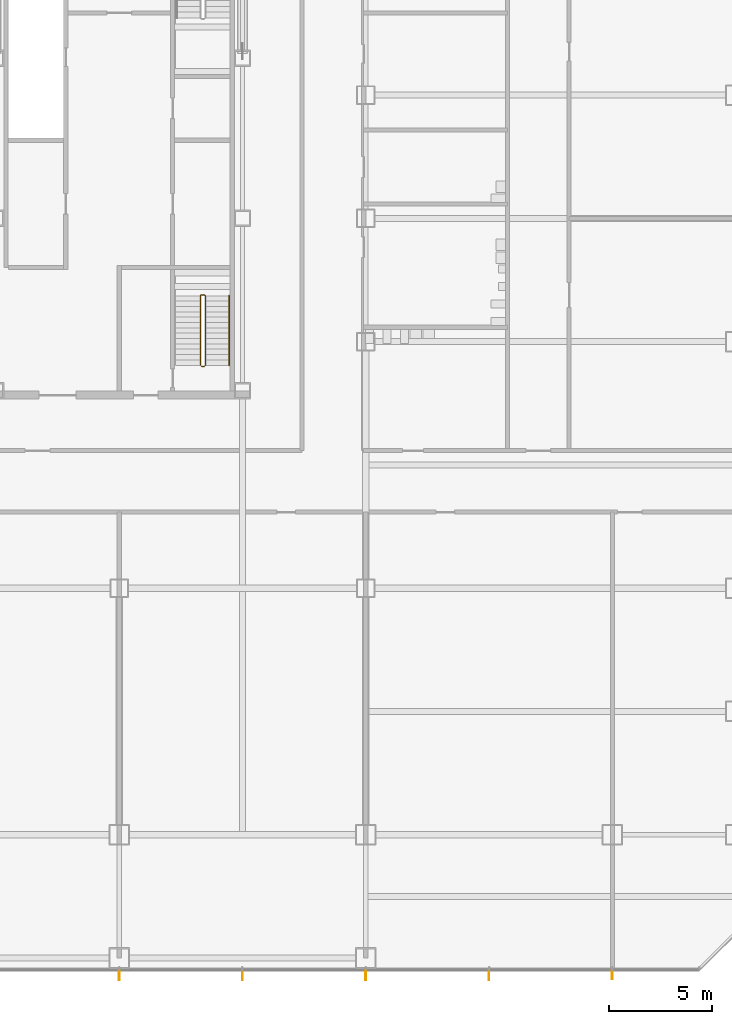
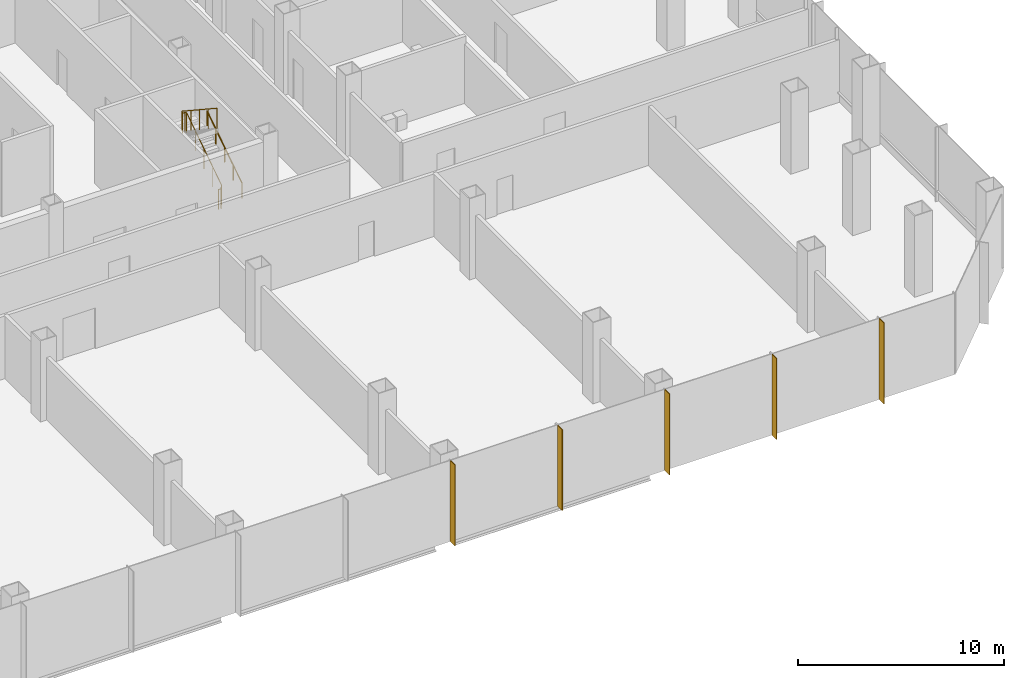
# One storey, part 28 of 33: 5 shading devices, 2 railings.
"""IFC4 building model written with IfcOpenShell, lengths in metres."""

import ifcopenshell
import ifcopenshell.guid

model = None  # the IFC model being written
_history = None  # IfcOwnerHistory: only IFC2X3 demands one
_inside = {}  # id of a spatial element -> (the spatial element, [elements in it])
_under = {}  # id of a project, library or spatial element -> (it, [spatial elements below it])
_declared = {}  # id of a project -> (the project, [libraries it declares])
_typed = {}  # id of a type object -> (the type object, [elements of that type])
_made_of = {}  # id of a material, layer set ... -> (it, [elements and type objects made of it])


def new_model(schema):
    """Start an empty IFC model of exactly this schema.

    Asked for "IFC4X3", IfcOpenShell would pick the latest addendum, in which some entities
    have other attributes; the version numbers below select the first issue.
    IFC2X3 requires an IfcOwnerHistory on every rooted entity: one is made here for all.
    """
    global model, _history
    if schema == "IFC4X3":
        model = ifcopenshell.file(schema_version=(4, 3, 0, 0))
    else:
        model = ifcopenshell.file(schema=schema)
    _inside.clear()
    _under.clear()
    _declared.clear()
    _typed.clear()
    _made_of.clear()
    _history = None
    if model.schema == "IFC2X3":
        org = make("IfcOrganization", Name="unknown")
        user = make(
            "IfcPersonAndOrganization",
            ThePerson=make("IfcPerson", FamilyName="unknown"),
            TheOrganization=org,
        )
        app = make(
            "IfcApplication",
            ApplicationDeveloper=org,
            Version="unknown",
            ApplicationFullName="unknown",
            ApplicationIdentifier="unknown",
        )
        _history = make(
            "IfcOwnerHistory",
            OwningUser=user,
            OwningApplication=app,
            ChangeAction="ADDED",
            CreationDate=0,
        )
    return model


def make(cls, **values):
    """One entity of the class cls with the attributes given. An attribute that is None is left unset."""
    return model.create_entity(
        cls, **{name: value for name, value in values.items() if value is not None}
    )


def rooted(cls, **values):
    """An entity with a GlobalId (a new one), such as an element, a storey or a relation."""
    return make(cls, GlobalId=ifcopenshell.guid.new(), OwnerHistory=_history, **values)


def si_unit(unit_type, name, prefix=None):
    """IfcSIUnit, for example si_unit("LENGTHUNIT", "METRE", prefix="MILLI")."""
    return make("IfcSIUnit", UnitType=unit_type, Prefix=prefix, Name=name)


def assignment(units):
    """IfcUnitAssignment: the units of a project."""
    return None if units is None else make("IfcUnitAssignment", Units=units)


def point(xyz):
    """IfcCartesianPoint."""
    return None if xyz is None else make("IfcCartesianPoint", Coordinates=xyz)


def direction(xyz):
    """IfcDirection."""
    return None if xyz is None else make("IfcDirection", DirectionRatios=xyz)


def frame(location, z_axis=None, x_axis=None):
    """IfcAxis2Placement3D, a coordinate frame: its origin and axes. An axis left out is left unset."""
    return make(
        "IfcAxis2Placement3D",
        Location=point(location),
        Axis=direction(z_axis),
        RefDirection=direction(x_axis),
    )


def frame_2d(location, x_axis=None):
    """IfcAxis2Placement2D, a coordinate frame in the plane: its origin and x axis."""
    return make(
        "IfcAxis2Placement2D", Location=point(location), RefDirection=direction(x_axis)
    )


def origin():
    """The frame at (0, 0, 0) with its axes left unset."""
    return frame((0.0, 0.0, 0.0))


def origin_2d():
    """The frame at (0, 0) in the plane with its x axis left unset."""
    return frame_2d((0.0, 0.0))


def place(relative_to, where):
    """IfcLocalPlacement: puts the frame where relative to a parent placement (None: the world)."""
    return make(
        "IfcLocalPlacement", PlacementRelTo=relative_to, RelativePlacement=where
    )


def context(
    kind, dimensions, precision=None, world=None, true_north=None, identifier=None
):
    """IfcGeometricRepresentationContext, for example the 3D "Model" context."""
    return make(
        "IfcGeometricRepresentationContext",
        ContextIdentifier=identifier,
        ContextType=kind,
        CoordinateSpaceDimension=dimensions,
        Precision=precision,
        WorldCoordinateSystem=world,
        TrueNorth=true_north,
    )


def subcontext(parent, identifier, kind, view, scale=None):
    """IfcGeometricRepresentationSubContext, for example "Body" below "Model"."""
    return make(
        "IfcGeometricRepresentationSubContext",
        ContextIdentifier=identifier,
        ContextType=kind,
        ParentContext=parent,
        TargetScale=scale,
        TargetView=view,
    )


def project(units=None, contexts=None):
    """IfcProject with its units and contexts."""
    return rooted(
        "IfcProject",
        Name="project",
        RepresentationContexts=contexts,
        UnitsInContext=assignment(units),
    )


def spatial(cls, under=None, at=None, **own):
    """A site, building, storey or space (cls), placed at a placement, below another one or the project."""
    s = rooted(cls, ObjectPlacement=at, **own)
    if under is not None:
        _under.setdefault(under.id(), (under, []))[1].append(s)
    return s


def profile(cls, at=None, kind="AREA", **sizes):
    """A parametric profile (cls). Its sizes go by their IFC names, for example OverallWidth=200.0."""
    return make(cls, ProfileType=kind, Position=at, **sizes)


def rectangle(**sizes):
    """IfcRectangleProfileDef."""
    return profile("IfcRectangleProfileDef", **sizes)


def circle(**sizes):
    """IfcCircleProfileDef."""
    return profile("IfcCircleProfileDef", **sizes)


def extrude(swept, where, along, depth):
    """IfcExtrudedAreaSolid: the profile swept, set in the frame where, extruded along a direction by depth."""
    return make(
        "IfcExtrudedAreaSolid",
        SweptArea=swept,
        Position=where,
        ExtrudedDirection=direction(along),
        Depth=depth,
    )


def shape(context_of_items, identifier, shape_type, items):
    """IfcShapeRepresentation: the items that make up one representation, for example the "Body"."""
    return make(
        "IfcShapeRepresentation",
        ContextOfItems=context_of_items,
        RepresentationIdentifier=identifier,
        RepresentationType=shape_type,
        Items=items,
    )


def material(Name=None, Category=None):
    """IfcMaterial."""
    return make("IfcMaterial", Name=Name, Category=Category)


def material_profile(
    of_material, cross_section, Name=None, Category=None, Priority=None
):
    """IfcMaterialProfile: a cross section and its material."""
    return make(
        "IfcMaterialProfile",
        Name=Name,
        Material=of_material,
        Profile=cross_section,
        Priority=Priority,
        Category=Category,
    )


def profile_set(profiles, Name=None, composite=None):
    """IfcMaterialProfileSet."""
    return make(
        "IfcMaterialProfileSet",
        Name=Name,
        MaterialProfiles=profiles,
        CompositeProfile=composite,
    )


def made_of(thing, what):
    """Note that an element or type object is made of a material, layer set ...; save() writes the relation."""
    if what is not None:
        _made_of.setdefault(what.id(), (what, []))[1].append(thing)
    return thing


def type_object(cls, material=None, **own):
    """A type object (cls), such as IfcWallType, which elements share."""
    return made_of(rooted(cls, **own), material)


def element(
    cls,
    number,
    at=None,
    inside=None,
    cuts=None,
    type_object=None,
    material=None,
    context=None,
    identifier="Body",
    shape_type=None,
    held_by="IfcProductDefinitionShape",
    body=None,
    shapes=None,
    **own,
):
    """One element of the class cls, such as IfcWall. Its Tag is "e" and its number.

    at: its placement. inside: the storey or other place that contains it. cuts: it is an
    opening in that element (IfcRelVoidsElement). A single representation is given by context,
    identifier, shape_type and body (its items); several are given by shapes. held_by: the class
    of the entity that holds the representations. save() writes the other relations.
    """
    e = rooted(cls, Tag="e%d" % number, ObjectPlacement=at, **own)
    if body is not None:
        shapes = [shape(context, identifier, shape_type, body)]
    if shapes is not None:
        e.Representation = make(held_by, Representations=shapes)
    if inside is not None:
        _inside.setdefault(inside.id(), (inside, []))[1].append(e)
    if cuts is not None:
        rooted(
            "IfcRelVoidsElement", RelatingBuildingElement=cuts, RelatedOpeningElement=e
        )
    if type_object is not None:
        _typed.setdefault(type_object.id(), (type_object, []))[1].append(e)
    return made_of(e, material)


def aggregate(whole, parts):
    """IfcRelAggregates: a whole, such as a stair, and the parts it consists of."""
    return rooted("IfcRelAggregates", RelatingObject=whole, RelatedObjects=parts)


def save(model, path):
    """Write the relations noted so far, then the file.

    IfcRelAggregates (storeys below a building ...), IfcRelContainedInSpatialStructure (elements
    in a storey), IfcRelDefinesByType, IfcRelAssociatesMaterial and IfcRelDeclares: one each for
    every whole, place, type object, material and project.
    """
    for whole, parts in _under.values():
        aggregate(whole, parts)
    for where, things in _inside.values():
        rooted(
            "IfcRelContainedInSpatialStructure",
            RelatedElements=things,
            RelatingStructure=where,
        )
    for kind, things in _typed.values():
        rooted("IfcRelDefinesByType", RelatedObjects=things, RelatingType=kind)
    for what, things in _made_of.values():
        rooted("IfcRelAssociatesMaterial", RelatedObjects=things, RelatingMaterial=what)
    for by, libraries in _declared.values():
        rooted("IfcRelDeclares", RelatingContext=by, RelatedDefinitions=libraries)
    model.write(path)


model = new_model("IFC4")

# Units and contexts
model_context = context("Model", 3, precision=1e-05, world=origin(), true_north=direction((0.0, 1.0)))
body_context = subcontext(model_context, "Body", "Model", "MODEL_VIEW")
ifc_project = project(units=[si_unit("LENGTHUNIT", "METRE"), si_unit("AREAUNIT", "SQUARE_METRE"), si_unit("VOLUMEUNIT", "CUBIC_METRE"), si_unit("PLANEANGLEUNIT", "RADIAN"), si_unit("MASSUNIT", "GRAM", prefix="KILO")], contexts=[model_context])

# Site, building, storey
site_placement = place(None, origin())
site = spatial("IfcSite", under=ifc_project, at=site_placement, CompositionType="ELEMENT")
building_placement = place(site_placement, origin())
building = spatial("IfcBuilding", under=site, at=building_placement, Name="Sorahane Residences", CompositionType="ELEMENT")
storey_placement = place(building_placement, frame((0.0, 0.0, 34.800048828125)))
storey = spatial("IfcBuildingStorey", under=building, at=storey_placement, Name="L05", CompositionType="ELEMENT", Elevation=34.800048828125)

# Shading devices
ifc_material_1 = material(Name="Terracotta anodised aluminium", Category="masonry")
ifc_material_profile = material_profile(ifc_material_1, rectangle(XDim=0.449951171875, YDim=0.0400390625, at=origin_2d()), Name="Podium vertical fin terracotta anodised aluminium 450x40")
ifc_profile_set = profile_set([ifc_material_profile], Name="Terracotta anodised aluminium")
shading_device_type = type_object("IfcShadingDeviceType", Name="Podium vertical fin terracotta anodised aluminium 450x40", PredefinedType="USERDEFINED", material=ifc_profile_set)
for number, where, z_axis, x_axis, name in (
    (1, (36.0, -6.844970703125, -0.400146484375), (0.0, 0.0, 1.0), (0.0, -1.0, 0.0), "Podium vertical fin L05 S1.5"),
    (2, (42.0, -6.844970703125, -0.400146484375), (0.0, 0.0, 1.0), (0.0, -1.0, 0.0), "Podium vertical fin L05 S1.6"),
    (3, (48.0, -6.844970703125, -0.400146484375), (0.0, 0.0, 1.0), (0.0, -1.0, 0.0), "Podium vertical fin L05 S1.7"),
    (4, (54.0, -6.844970703125, -0.400146484375), (0.0, 0.0, 1.0), (0.0, -1.0, 0.0), "Podium vertical fin L05 S1.8"),
    (5, (60.0, -6.844970703125, -0.400146484375), (0.0, 0.0, 1.0), (0.0, -1.0, 0.0), "Podium vertical fin L05 S1.9"),
):
    element("IfcShadingDevice", number, at=place(storey_placement, frame(where, z_axis=z_axis, x_axis=x_axis)), inside=storey, type_object=shading_device_type, Name=name, ObjectType="Vertical fin", PredefinedType="USERDEFINED", context=body_context, shape_type="SweptSolid", body=[
        extrude(rectangle(XDim=0.449951171875, YDim=0.0400390625, at=origin_2d()), origin(), (0.0, 0.0, 1.0), 4.800048828125),
    ])

# Railings
ifc_material_2 = material(Name="Steel Q355B", Category="steel")
railing_type_1 = type_object("IfcRailingType", Name="Stair guard 1200 Steel Q355B", PredefinedType="GUARDRAIL", material=ifc_material_2)
railing_1_placement = place(storey_placement, frame((40.0, 22.800048828125, 0.0)))
element("IfcRailing", 6, at=railing_1_placement, inside=storey, type_object=railing_type_1, Name="L05 S5 stair guard 1", PredefinedType="GUARDRAIL", context=body_context, shape_type="SweptSolid", body=[
    extrude(circle(Radius=0.02392578125, at=origin_2d()), frame((0.0, 0.0, 1.17578125), z_axis=(1.0, 0.0, 0.0), x_axis=(0.0, 1.0, 0.0)), (0.0, 0.0, 1.0), 0.14990234375),
    extrude(circle(Radius=0.02392578125, at=origin_2d()), frame((0.14990234375, 0.0, 1.17578125), z_axis=(0.269911200495, 0.269911200495, 0.924281281696), x_axis=(-0.707106781187, 0.707106781187, 0.0)), (0.0, 0.0, 1.0), 0.185546875),
    extrude(circle(Radius=0.02392578125, at=origin_2d()), frame((0.199951171875, 0.050048828125, 1.34716796875), z_axis=(0.0, 0.83485994896, 0.550462410727), x_axis=(-1.0, 0.0, 0.0)), (0.0, 0.0, 1.0), 4.04833984375),
    extrude(circle(Radius=0.02392578125, at=origin_2d()), frame((0.199951171875, 3.429931640625, 3.57568359375), z_axis=(-0.707106781187, 0.707106781187, 0.0), x_axis=(-0.707106781187, -0.707106781187, 0.0)), (0.0, 0.0, 1.0), 0.07080078125),
    extrude(circle(Radius=0.02392578125, at=origin_2d()), frame((0.14990234375, 3.47998046875, 3.57568359375), z_axis=(-1.0, 0.0, 0.0), x_axis=(0.0, -1.0, 0.0)), (0.0, 0.0, 1.0), 0.14990234375),
    extrude(circle(Radius=0.02392578125, at=origin_2d()), frame((0.0, 3.47998046875, 3.57568359375), z_axis=(-0.269911200495, -0.269911200495, 0.924281281696), x_axis=(0.707106781187, -0.707106781187, 0.0)), (0.0, 0.0, 1.0), 0.185546875),
    extrude(circle(Radius=0.02392578125, at=origin_2d()), frame((-0.050048828125, 3.429931640625, 3.7470703125), z_axis=(0.0, -0.834832235197, 0.55050444056), x_axis=(1.0, 0.0, 0.0)), (0.0, 0.0, 1.0), 4.048583984375),
    extrude(circle(Radius=0.02099609375, at=origin_2d()), origin(), (0.0, 0.0, 1.0), 1.15185546875),
    extrude(circle(Radius=0.02099609375, at=origin_2d()), frame((0.14990234375, 0.0, 0.0)), (0.0, 0.0, 1.0), 1.15185546875),
    extrude(circle(Radius=0.02099609375, at=origin_2d()), frame((0.199951171875, 0.050048828125, 0.17138671875)), (0.0, 0.0, 1.0), 1.15185546875),
    extrude(circle(Radius=0.02099609375, at=origin_2d()), frame((0.199951171875, 0.89501953125, 0.728515625)), (0.0, 0.0, 1.0), 1.15185546875),
    extrude(circle(Radius=0.02099609375, at=origin_2d()), frame((0.199951171875, 1.739990234375, 1.28564453125)), (0.0, 0.0, 1.0), 1.15185546875),
    extrude(circle(Radius=0.02099609375, at=origin_2d()), frame((0.199951171875, 2.5849609375, 1.8427734375)), (0.0, 0.0, 1.0), 1.15185546875),
    extrude(circle(Radius=0.02099609375, at=origin_2d()), frame((0.199951171875, 3.429931640625, 2.39990234375)), (0.0, 0.0, 1.0), 1.15185546875),
    extrude(circle(Radius=0.02099609375, at=origin_2d()), frame((0.14990234375, 3.47998046875, 2.39990234375)), (0.0, 0.0, 1.0), 1.15185546875),
    extrude(circle(Radius=0.02099609375, at=origin_2d()), frame((0.0, 3.47998046875, 2.39990234375)), (0.0, 0.0, 1.0), 1.15185546875),
    extrude(circle(Radius=0.02099609375, at=origin_2d()), frame((-0.050048828125, 3.429931640625, 2.5712890625)), (0.0, 0.0, 1.0), 1.15185546875),
    extrude(circle(Radius=0.02099609375, at=origin_2d()), frame((-0.050048828125, 2.5849609375, 3.12841796875)), (0.0, 0.0, 1.0), 1.15185546875),
    extrude(circle(Radius=0.02099609375, at=origin_2d()), frame((-0.050048828125, 1.739990234375, 3.685546875)), (0.0, 0.0, 1.0), 1.15185546875),
    extrude(circle(Radius=0.02099609375, at=origin_2d()), frame((-0.050048828125, 0.89501953125, 4.242919921875)), (0.0, 0.0, 1.0), 1.15185546875),
    extrude(circle(Radius=0.02099609375, at=origin_2d()), frame((-0.050048828125, 0.050048828125, 4.800048828125)), (0.0, 0.0, 1.0), 1.15185546875),
])
ifc_material_3 = material(Name="Steel Q355B", Category="steel")
railing_type_2 = type_object("IfcRailingType", Name="Stair handrail 900 Steel Q355B", PredefinedType="HANDRAIL", material=ifc_material_3)
railing_2_placement = place(storey_placement, frame((41.35009765625, 22.85009765625, 0.17138671875)))
element("IfcRailing", 7, at=railing_2_placement, inside=storey, type_object=railing_type_2, Name="L05 S5 stair handrail 1", PredefinedType="HANDRAIL", context=body_context, shape_type="SweptSolid", body=[
    extrude(circle(Radius=0.02392578125, at=origin_2d()), frame((0.0, 0.0, 0.8759765625), z_axis=(0.0, 0.83485994896, 0.550462410727), x_axis=(-1.0, 0.0, 0.0)), (0.0, 0.0, 1.0), 4.04833984375),
    extrude(circle(Radius=0.02099609375, at=origin_2d()), origin(), (0.0, 0.0, 1.0), 0.851806640625),
    extrude(circle(Radius=0.02099609375, at=origin_2d()), frame((0.0, 0.844970703125, 0.55712890625)), (0.0, 0.0, 1.0), 0.851806640625),
    extrude(circle(Radius=0.02099609375, at=origin_2d()), frame((0.0, 1.68994140625, 1.1142578125)), (0.0, 0.0, 1.0), 0.851806640625),
    extrude(circle(Radius=0.02099609375, at=origin_2d()), frame((0.0, 2.534912109375, 1.67138671875)), (0.0, 0.0, 1.0), 0.851806640625),
    extrude(circle(Radius=0.02099609375, at=origin_2d()), frame((0.0, 3.3798828125, 2.228515625)), (0.0, 0.0, 1.0), 0.851806640625),
])

save(model, "model.ifc")
